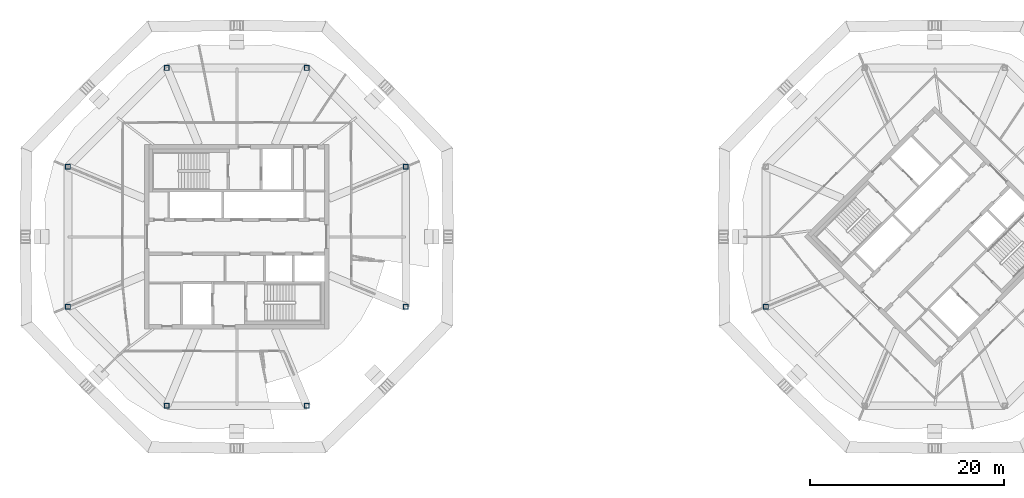
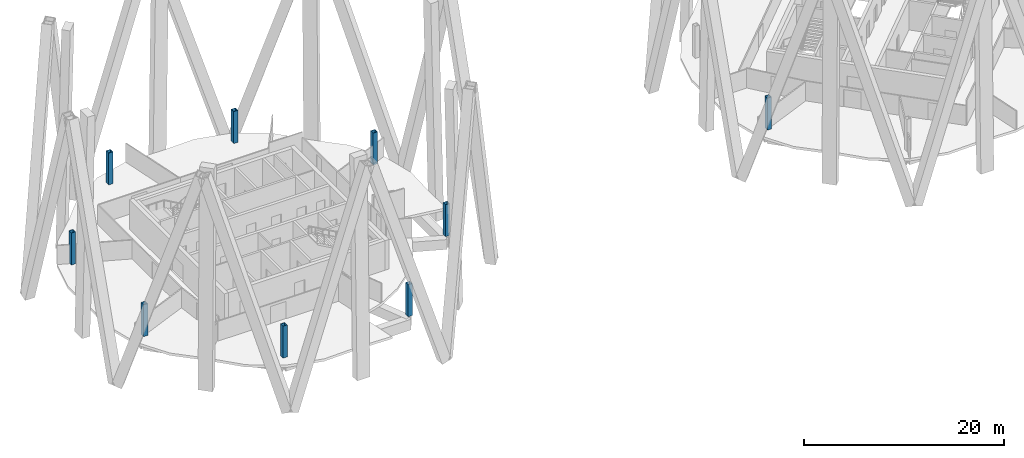
# One storey, part 1 of 11: 9 columns.
"""IFC4 building model written with IfcOpenShell, lengths in metres."""

from ifc_helpers import new_model, si_unit, direction, frame, origin, origin_2d, place, context, subcontext, project, spatial, hollow_rectangle, extrude, material, material_profile, profile_set, type_object, element, save


model = new_model("IFC4")

# Units and contexts
model_context = context("Model", 3, precision=1e-05, world=origin(), true_north=direction((0.0, 1.0)))
body_context = subcontext(model_context, "Body", "Model", "MODEL_VIEW")
ifc_project = project(units=[si_unit("LENGTHUNIT", "METRE"), si_unit("AREAUNIT", "SQUARE_METRE"), si_unit("VOLUMEUNIT", "CUBIC_METRE"), si_unit("PLANEANGLEUNIT", "RADIAN"), si_unit("MASSUNIT", "GRAM", prefix="KILO")], contexts=[model_context])

# Site, building, storey
site_placement = place(None, origin())
site = spatial("IfcSite", under=ifc_project, at=site_placement, CompositionType="ELEMENT")
building_placement = place(site_placement, origin())
building = spatial("IfcBuilding", under=site, at=building_placement, Name="Ogive Gate Towers", CompositionType="ELEMENT")
storey_placement = place(building_placement, frame((0.0, 0.0, 244.5)))
storey = spatial("IfcBuildingStorey", under=building, at=storey_placement, Name="L58", CompositionType="ELEMENT", Elevation=244.5)

# Columns
ifc_material = material(Name="Steel SM460", Category="steel")
ifc_material_profile = material_profile(ifc_material, hollow_rectangle(XDim=0.5, YDim=0.5, WallThickness=0.030029296875, at=origin_2d()), Name="BX 500x500x30")
ifc_profile_set = profile_set([ifc_material_profile], Name="Steel SM460")
column_type = type_object("IfcColumnType", Name="Perimeter post BX 500x500x30", PredefinedType="COLUMN", material=ifc_profile_set)
for number, where, z_axis, x_axis, name in (
    (1, (-18.57568359375, 7.217529296875, 0.0), (0.0, 0.0, 1.0), (1.0, 0.0, 0.0), "T1/L58/SCL001"),
    (2, (-28.782470703125, 17.42431640625, 0.0), (0.0, 0.0, 1.0), (1.0, 0.0, 0.0), "T1/L58/SCL002"),
    (3, (-43.217529296875, 17.42431640625, 0.0), (0.0, 0.0, 1.0), (1.0, 0.0, 0.0), "T1/L58/SCL003"),
    (4, (-53.42431640625, 7.217529296875, 0.0), (0.0, 0.0, 1.0), (1.0, 0.0, 0.0), "T1/L58/SCL004"),
    (5, (-53.42431640625, -7.217529296875, 0.0), (0.0, 0.0, 1.0), (1.0, 0.0, 0.0), "T1/L58/SCL005"),
    (6, (-43.217529296875, -17.42431640625, 0.0), (0.0, 0.0, 1.0), (1.0, 0.0, 0.0), "T1/L58/SCL006"),
    (7, (-28.782470703125, -17.42431640625, 0.0), (0.0, 0.0, 1.0), (1.0, 0.0, 0.0), "T1/L58/SCL007"),
    (8, (-18.57568359375, -7.217529296875, 0.0), (0.0, 0.0, 1.0), (1.0, 0.0, 0.0), "T1/L58/SCL008"),
    (9, (18.57568359375, -7.217529296875, 0.0), (0.0, 0.0, 1.0), (1.0, 0.0, 0.0), "T2/L58/SCL005"),
):
    element("IfcColumn", number, at=place(storey_placement, frame(where, z_axis=z_axis, x_axis=x_axis)), inside=storey, type_object=column_type, Name=name, PredefinedType="COLUMN", context=body_context, shape_type="SweptSolid", body=[
        extrude(hollow_rectangle(XDim=0.5, YDim=0.5, WallThickness=0.030029296875, at=origin_2d()), origin(), (0.0, 0.0, 1.0), 3.89990234375),
    ])

save(model, "model.ifc")
